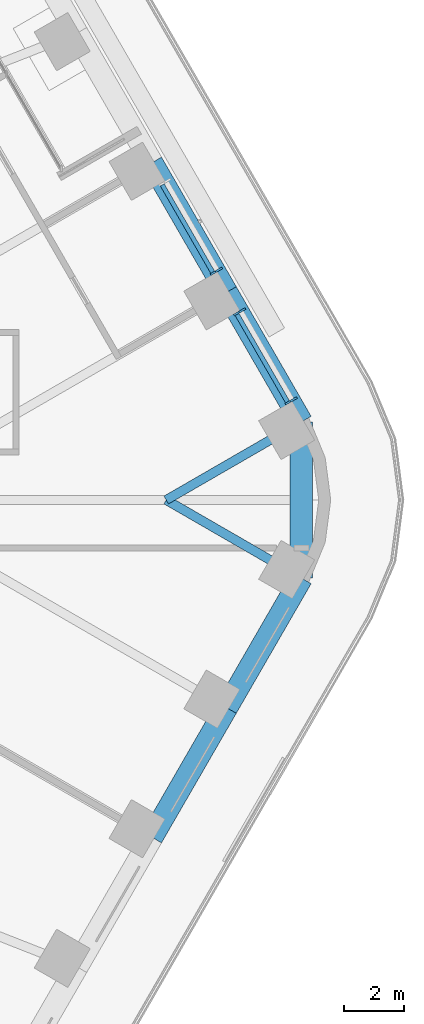
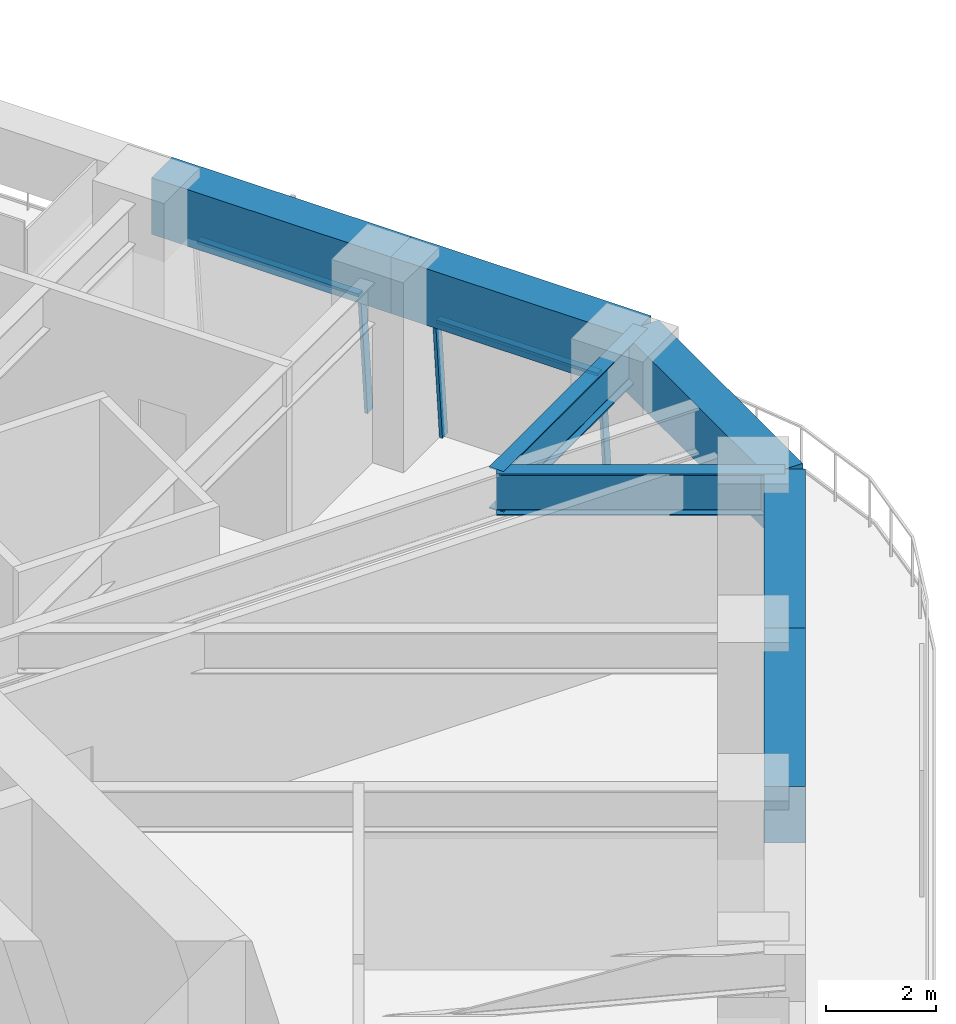
# One storey, part 14 of 24: 7 beams, 5 members, 2 elements without a shape of their own.
"""IFC4 building model written with IfcOpenShell, lengths in metres."""

from ifc_helpers import new_model, si_unit, direction, frame, origin, origin_2d, place, context, subcontext, project, spatial, rectangle, i_section, extrude, material, material_profile, profile_set, type_object, element, aggregate, save


model = new_model("IFC4")

# Units and contexts
model_context = context("Model", 3, precision=1e-05, world=origin(), true_north=direction((0.0, 1.0)))
body_context = subcontext(model_context, "Body", "Model", "MODEL_VIEW")
ifc_project = project(units=[si_unit("LENGTHUNIT", "METRE"), si_unit("AREAUNIT", "SQUARE_METRE"), si_unit("VOLUMEUNIT", "CUBIC_METRE"), si_unit("PLANEANGLEUNIT", "RADIAN"), si_unit("MASSUNIT", "GRAM", prefix="KILO")], contexts=[model_context])

# Site, building, storey
site_placement = place(None, origin())
site = spatial("IfcSite", under=ifc_project, at=site_placement, CompositionType="ELEMENT")
building_placement = place(site_placement, origin())
building = spatial("IfcBuilding", under=site, at=building_placement, Name="Tarfa Lantern Tower", CompositionType="ELEMENT")
storey_placement = place(building_placement, frame((0.0, 0.0, 186.699951171875)))
storey = spatial("IfcBuildingStorey", under=building, at=storey_placement, Name="L42", CompositionType="ELEMENT", Elevation=186.699951171875)

# Curtain wall, members
ifc_material_1 = material(Name="Aluminium framed curtain wall", Category="aluminium")
curtain_wall_type = type_object("IfcCurtainWallType", Name="CW2 CANTED GLAZING MID ZONE 2750", PredefinedType="USERDEFINED", material=ifc_material_1)
curtain_wall_1_placement = place(storey_placement, origin())
curtain_wall_1 = element("IfcCurtainWall", 1, at=curtain_wall_1_placement, inside=storey, type_object=curtain_wall_type, Name="CW2 NE L42", ObjectType="CURTAIN WALL", PredefinedType="USERDEFINED")
ifc_material_2 = material(Name="Aluminium mullion", Category="aluminium")
ifc_material_profile_1 = material_profile(ifc_material_2, rectangle(XDim=0.06494140625, YDim=0.199951171875, at=origin_2d()), Name="AL MULLION 65x200")
ifc_profile_set_1 = profile_set([ifc_material_profile_1], Name="Aluminium mullion")
member_type_1 = type_object("IfcMemberType", Name="CWM1 MULLION 65x200", PredefinedType="MULLION", material=ifc_profile_set_1)
member_1_placement = place(storey_placement, frame((34.3076171875, 3.377685546875, 0.0), z_axis=(-0.078422950161, -0.045267813396, 0.995891894715), x_axis=(0.499919672301, -0.866071776036, 0.0)))
member_1 = element("IfcMember", 2, at=member_1_placement, type_object=member_type_1, Name="CW2 mullion 1", PredefinedType="MULLION", context=body_context, shape_type="SweptSolid", body=[
    extrude(rectangle(XDim=0.06494140625, YDim=0.199951171875, at=origin_2d()), origin(), (0.0, 0.0, 1.0), 2.76123046875),
])
member_2_placement = place(storey_placement, frame((32.588134765625, 6.355712890625, 0.0), z_axis=(-0.078422950161, -0.045267813396, 0.995891894715), x_axis=(0.499919672301, -0.866071776036, 0.0)))
member_2 = element("IfcMember", 3, at=member_2_placement, type_object=member_type_1, Name="CW2 mullion 2", PredefinedType="MULLION", context=body_context, shape_type="SweptSolid", body=[
    extrude(rectangle(XDim=0.06494140625, YDim=0.199951171875, at=origin_2d()), origin(), (0.0, 0.0, 1.0), 2.76123046875),
])

# Curtain wall, member
curtain_wall_2_placement = place(storey_placement, origin())
curtain_wall_2 = element("IfcCurtainWall", 4, at=curtain_wall_2_placement, inside=storey, type_object=curtain_wall_type, Name="CW2 NE L42", ObjectType="CURTAIN WALL", PredefinedType="USERDEFINED")
member_3_placement = place(storey_placement, frame((31.8056640625, 7.7109375, 0.0), z_axis=(-0.078422950161, -0.045267813396, 0.995891894715), x_axis=(0.499919672301, -0.866071776036, 0.0)))
member_3 = element("IfcMember", 5, at=member_3_placement, type_object=member_type_1, Name="CW2 mullion 1", PredefinedType="MULLION", context=body_context, shape_type="SweptSolid", body=[
    extrude(rectangle(XDim=0.06494140625, YDim=0.199951171875, at=origin_2d()), origin(), (0.0, 0.0, 1.0), 2.76123046875),
])

# Member
ifc_material_3 = material(Name="Aluminium transom", Category="aluminium")
ifc_material_profile_2 = material_profile(ifc_material_3, rectangle(XDim=0.14990234375, YDim=0.06494140625, at=origin_2d()), Name="AL TRANSOM 150x65")
ifc_profile_set_2 = profile_set([ifc_material_profile_2], Name="Aluminium transom")
member_type_2 = type_object("IfcMemberType", Name="CWT1 TRANSOM 150x65", PredefinedType="USERDEFINED", material=ifc_profile_set_2)
member_4_placement = place(storey_placement, frame((34.077392578125, 3.2822265625, 2.717529296875), z_axis=(-0.500014760403, 0.866016881694, 0.0), x_axis=(-0.866016881694, -0.500014760403, 0.0)))
member_4 = element("IfcMember", 6, at=member_4_placement, type_object=member_type_2, Name="CW2 transom 1.2", ObjectType="TRANSOM", PredefinedType="USERDEFINED", context=body_context, shape_type="SweptSolid", body=[
    extrude(rectangle(XDim=0.14990234375, YDim=0.06494140625, at=origin_2d()), origin(), (0.0, 0.0, 1.0), 3.3740234375),
])

aggregate(curtain_wall_1, [member_1, member_2, member_4])

member_5_placement = place(storey_placement, frame((31.575439453125, 7.61572265625, 2.717529296875), z_axis=(-0.499991822116, 0.866030125237, 0.0), x_axis=(-0.866030125237, -0.499991822116, 0.0)))
member_5 = element("IfcMember", 7, at=member_5_placement, type_object=member_type_2, Name="CW2 transom 1.2", ObjectType="TRANSOM", PredefinedType="USERDEFINED", context=body_context, shape_type="SweptSolid", body=[
    extrude(rectangle(XDim=0.14990234375, YDim=0.06494140625, at=origin_2d()), origin(), (0.0, 0.0, 1.0), 3.37353515625),
])

aggregate(curtain_wall_2, [member_3, member_5])

# Beams
ifc_material_4 = material(Name="Concrete C80/95", Category="concrete")
ifc_material_profile_3 = material_profile(ifc_material_4, rectangle(XDim=0.75, YDim=1.25, at=origin_2d()), Name="RC 750x1250")
ifc_profile_set_3 = profile_set([ifc_material_profile_3], Name="Concrete C80/95")
beam_type_1 = type_object("IfcBeamType", Name="EB2 RC 750x1250", PredefinedType="SPANDREL", material=ifc_profile_set_3)
for number, where, z_axis, x_axis, name in (
    (8, (34.54296875, 2.610107421875, 3.375), (-0.500022324899, 0.866012514114, 0.0), (-0.866012514114, -0.500022324899, 0.0), "Edge beam NE0"),
    (9, (32.041015625, 6.943359375, 3.375), (-0.500022324899, 0.866012514114, 0.0), (-0.866012514114, -0.500022324899, 0.0), "Edge beam NE1"),
    (10, (29.5390625, -11.276611328125, 3.375), (0.500022324899, 0.866012514114, 0.0), (-0.866012514114, 0.500022324899, 0.0), "Edge beam SE4"),
    (11, (32.041015625, -6.943359375, 3.375), (0.500022324899, 0.866012514114, 0.0), (-0.866012514114, 0.500022324899, 0.0), "Edge beam SE5"),
):
    element("IfcBeam", number, at=place(storey_placement, frame(where, z_axis=z_axis, x_axis=x_axis)), inside=storey, type_object=beam_type_1, Name=name, PredefinedType="SPANDREL", context=body_context, shape_type="SweptSolid", body=[
        extrude(rectangle(XDim=0.75, YDim=1.25, at=origin_2d()), origin(), (0.0, 0.0, 1.0), 5.003662109375),
    ])
beam_placement = place(storey_placement, frame((34.54296875, -2.610107421875, 3.375), z_axis=(0.0, 1.0, 0.0), x_axis=(-1.0, 0.0, 0.0)))
element("IfcBeam", 12, at=beam_placement, inside=storey, type_object=beam_type_1, Name="Edge beam SE6", PredefinedType="SPANDREL", context=body_context, shape_type="SweptSolid", body=[
    extrude(rectangle(XDim=0.75, YDim=1.25, at=origin_2d()), origin(), (0.0, 0.0, 1.0), 5.22021484375),
])
ifc_material_5 = material(Name="Steel S460M", Category="steel")
ifc_material_profile_4 = material_profile(ifc_material_5, i_section(OverallWidth=0.305419921875, OverallDepth=0.91845703125, WebThickness=0.017333984375, FlangeThickness=0.02783203125, FilletRadius=0.01904296875, at=origin_2d()), Name="UB914x305x253")
ifc_profile_set_4 = profile_set([ifc_material_profile_4], Name="Steel S460M")
beam_type_2 = type_object("IfcBeamType", Name="UB914x305x253", PredefinedType="BEAM", material=ifc_profile_set_4)
for number, where, z_axis, x_axis, name in (
    (13, (34.54296875, 2.610107421875, 3.540771484375), (-0.866021250859, -0.500007193008, 0.0), (0.500007193008, -0.866021250859, 0.0), "Floor beam NE0"),
    (14, (34.54296875, -2.610107421875, 3.540771484375), (-0.866021250859, 0.500007193008, 0.0), (-0.500007193008, -0.866021250859, 0.0), "Floor beam SE6"),
):
    element("IfcBeam", number, at=place(storey_placement, frame(where, z_axis=z_axis, x_axis=x_axis)), inside=storey, type_object=beam_type_2, Name=name, PredefinedType="BEAM", context=body_context, shape_type="SweptSolid", body=[
        extrude(i_section(OverallWidth=0.305419921875, OverallDepth=0.91845703125, WebThickness=0.017333984375, FlangeThickness=0.02783203125, FilletRadius=0.01904296875, at=origin_2d()), origin(), (0.0, 0.0, 1.0), 5.22021484375),
    ])

save(model, "model.ifc")
